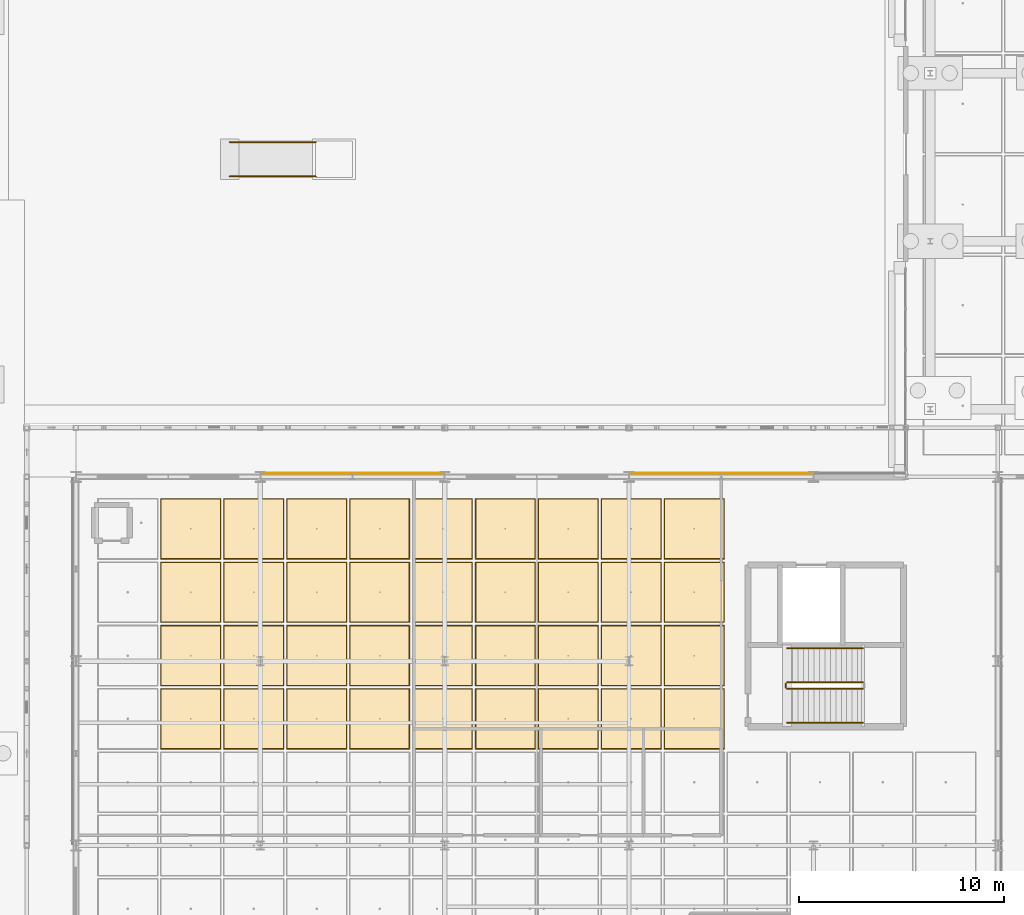
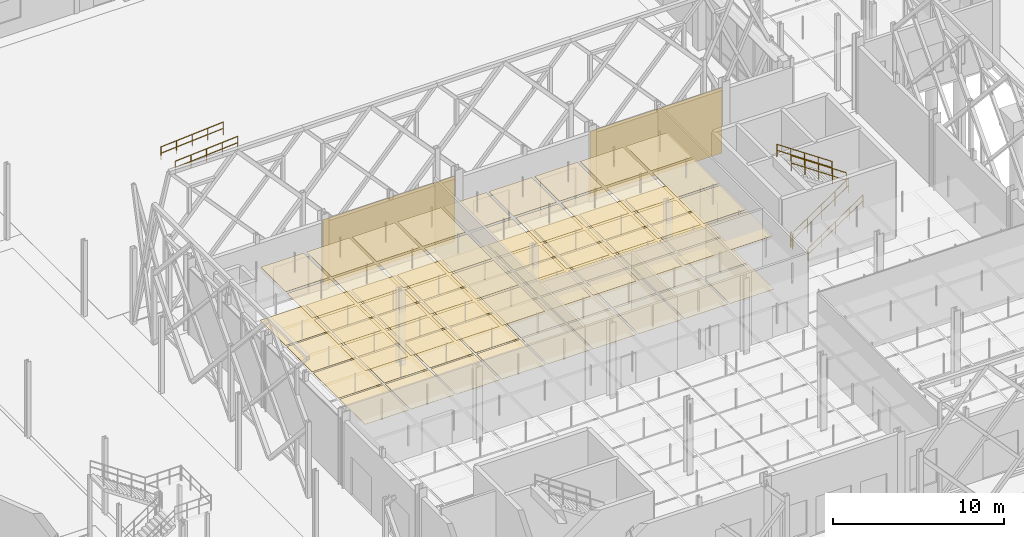
# One storey, part 166 of 180: 74 coverings, 7 railings.
"""IFC4 building model written with IfcOpenShell, lengths in metres."""

import ifcopenshell
import ifcopenshell.guid

model = None  # the IFC model being written
_history = None  # IfcOwnerHistory: only IFC2X3 demands one
_inside = {}  # id of a spatial element -> (the spatial element, [elements in it])
_under = {}  # id of a project, library or spatial element -> (it, [spatial elements below it])
_declared = {}  # id of a project -> (the project, [libraries it declares])
_typed = {}  # id of a type object -> (the type object, [elements of that type])
_made_of = {}  # id of a material, layer set ... -> (it, [elements and type objects made of it])


def new_model(schema):
    """Start an empty IFC model of exactly this schema.

    Asked for "IFC4X3", IfcOpenShell would pick the latest addendum, in which some entities
    have other attributes; the version numbers below select the first issue.
    IFC2X3 requires an IfcOwnerHistory on every rooted entity: one is made here for all.
    """
    global model, _history
    if schema == "IFC4X3":
        model = ifcopenshell.file(schema_version=(4, 3, 0, 0))
    else:
        model = ifcopenshell.file(schema=schema)
    _inside.clear()
    _under.clear()
    _declared.clear()
    _typed.clear()
    _made_of.clear()
    _history = None
    if model.schema == "IFC2X3":
        org = make("IfcOrganization", Name="unknown")
        user = make(
            "IfcPersonAndOrganization",
            ThePerson=make("IfcPerson", FamilyName="unknown"),
            TheOrganization=org,
        )
        app = make(
            "IfcApplication",
            ApplicationDeveloper=org,
            Version="unknown",
            ApplicationFullName="unknown",
            ApplicationIdentifier="unknown",
        )
        _history = make(
            "IfcOwnerHistory",
            OwningUser=user,
            OwningApplication=app,
            ChangeAction="ADDED",
            CreationDate=0,
        )
    return model


def make(cls, **values):
    """One entity of the class cls with the attributes given. An attribute that is None is left unset."""
    return model.create_entity(
        cls, **{name: value for name, value in values.items() if value is not None}
    )


def rooted(cls, **values):
    """An entity with a GlobalId (a new one), such as an element, a storey or a relation."""
    return make(cls, GlobalId=ifcopenshell.guid.new(), OwnerHistory=_history, **values)


def si_unit(unit_type, name, prefix=None):
    """IfcSIUnit, for example si_unit("LENGTHUNIT", "METRE", prefix="MILLI")."""
    return make("IfcSIUnit", UnitType=unit_type, Prefix=prefix, Name=name)


def assignment(units):
    """IfcUnitAssignment: the units of a project."""
    return None if units is None else make("IfcUnitAssignment", Units=units)


def point(xyz):
    """IfcCartesianPoint."""
    return None if xyz is None else make("IfcCartesianPoint", Coordinates=xyz)


def direction(xyz):
    """IfcDirection."""
    return None if xyz is None else make("IfcDirection", DirectionRatios=xyz)


def frame(location, z_axis=None, x_axis=None):
    """IfcAxis2Placement3D, a coordinate frame: its origin and axes. An axis left out is left unset."""
    return make(
        "IfcAxis2Placement3D",
        Location=point(location),
        Axis=direction(z_axis),
        RefDirection=direction(x_axis),
    )


def frame_2d(location, x_axis=None):
    """IfcAxis2Placement2D, a coordinate frame in the plane: its origin and x axis."""
    return make(
        "IfcAxis2Placement2D", Location=point(location), RefDirection=direction(x_axis)
    )


def origin():
    """The frame at (0, 0, 0) with its axes left unset."""
    return frame((0.0, 0.0, 0.0))


def origin_2d():
    """The frame at (0, 0) in the plane with its x axis left unset."""
    return frame_2d((0.0, 0.0))


def place(relative_to, where):
    """IfcLocalPlacement: puts the frame where relative to a parent placement (None: the world)."""
    return make(
        "IfcLocalPlacement", PlacementRelTo=relative_to, RelativePlacement=where
    )


def context(
    kind, dimensions, precision=None, world=None, true_north=None, identifier=None
):
    """IfcGeometricRepresentationContext, for example the 3D "Model" context."""
    return make(
        "IfcGeometricRepresentationContext",
        ContextIdentifier=identifier,
        ContextType=kind,
        CoordinateSpaceDimension=dimensions,
        Precision=precision,
        WorldCoordinateSystem=world,
        TrueNorth=true_north,
    )


def subcontext(parent, identifier, kind, view, scale=None):
    """IfcGeometricRepresentationSubContext, for example "Body" below "Model"."""
    return make(
        "IfcGeometricRepresentationSubContext",
        ContextIdentifier=identifier,
        ContextType=kind,
        ParentContext=parent,
        TargetScale=scale,
        TargetView=view,
    )


def project(units=None, contexts=None):
    """IfcProject with its units and contexts."""
    return rooted(
        "IfcProject",
        Name="project",
        RepresentationContexts=contexts,
        UnitsInContext=assignment(units),
    )


def spatial(cls, under=None, at=None, **own):
    """A site, building, storey or space (cls), placed at a placement, below another one or the project."""
    s = rooted(cls, ObjectPlacement=at, **own)
    if under is not None:
        _under.setdefault(under.id(), (under, []))[1].append(s)
    return s


def profile(cls, at=None, kind="AREA", **sizes):
    """A parametric profile (cls). Its sizes go by their IFC names, for example OverallWidth=200.0."""
    return make(cls, ProfileType=kind, Position=at, **sizes)


def rectangle(**sizes):
    """IfcRectangleProfileDef."""
    return profile("IfcRectangleProfileDef", **sizes)


def circle(**sizes):
    """IfcCircleProfileDef."""
    return profile("IfcCircleProfileDef", **sizes)


def extrude(swept, where, along, depth):
    """IfcExtrudedAreaSolid: the profile swept, set in the frame where, extruded along a direction by depth."""
    return make(
        "IfcExtrudedAreaSolid",
        SweptArea=swept,
        Position=where,
        ExtrudedDirection=direction(along),
        Depth=depth,
    )


def shape(context_of_items, identifier, shape_type, items):
    """IfcShapeRepresentation: the items that make up one representation, for example the "Body"."""
    return make(
        "IfcShapeRepresentation",
        ContextOfItems=context_of_items,
        RepresentationIdentifier=identifier,
        RepresentationType=shape_type,
        Items=items,
    )


def material(Name=None, Category=None):
    """IfcMaterial."""
    return make("IfcMaterial", Name=Name, Category=Category)


def layer(
    of_material, thickness, ventilated=None, Name=None, Category=None, Priority=None
):
    """IfcMaterialLayer: one layer of a wall or slab, of a material (None: an air gap)."""
    return make(
        "IfcMaterialLayer",
        Material=of_material,
        LayerThickness=thickness,
        IsVentilated=ventilated,
        Name=Name,
        Category=Category,
        Priority=Priority,
    )


def layer_set(layers, Name=None):
    """IfcMaterialLayerSet."""
    return make("IfcMaterialLayerSet", MaterialLayers=layers, LayerSetName=Name)


def made_of(thing, what):
    """Note that an element or type object is made of a material, layer set ...; save() writes the relation."""
    if what is not None:
        _made_of.setdefault(what.id(), (what, []))[1].append(thing)
    return thing


def type_object(cls, material=None, **own):
    """A type object (cls), such as IfcWallType, which elements share."""
    return made_of(rooted(cls, **own), material)


def element(
    cls,
    number,
    at=None,
    inside=None,
    cuts=None,
    type_object=None,
    material=None,
    context=None,
    identifier="Body",
    shape_type=None,
    held_by="IfcProductDefinitionShape",
    body=None,
    shapes=None,
    **own,
):
    """One element of the class cls, such as IfcWall. Its Tag is "e" and its number.

    at: its placement. inside: the storey or other place that contains it. cuts: it is an
    opening in that element (IfcRelVoidsElement). A single representation is given by context,
    identifier, shape_type and body (its items); several are given by shapes. held_by: the class
    of the entity that holds the representations. save() writes the other relations.
    """
    e = rooted(cls, Tag="e%d" % number, ObjectPlacement=at, **own)
    if body is not None:
        shapes = [shape(context, identifier, shape_type, body)]
    if shapes is not None:
        e.Representation = make(held_by, Representations=shapes)
    if inside is not None:
        _inside.setdefault(inside.id(), (inside, []))[1].append(e)
    if cuts is not None:
        rooted(
            "IfcRelVoidsElement", RelatingBuildingElement=cuts, RelatedOpeningElement=e
        )
    if type_object is not None:
        _typed.setdefault(type_object.id(), (type_object, []))[1].append(e)
    return made_of(e, material)


def aggregate(whole, parts):
    """IfcRelAggregates: a whole, such as a stair, and the parts it consists of."""
    return rooted("IfcRelAggregates", RelatingObject=whole, RelatedObjects=parts)


def save(model, path):
    """Write the relations noted so far, then the file.

    IfcRelAggregates (storeys below a building ...), IfcRelContainedInSpatialStructure (elements
    in a storey), IfcRelDefinesByType, IfcRelAssociatesMaterial and IfcRelDeclares: one each for
    every whole, place, type object, material and project.
    """
    for whole, parts in _under.values():
        aggregate(whole, parts)
    for where, things in _inside.values():
        rooted(
            "IfcRelContainedInSpatialStructure",
            RelatedElements=things,
            RelatingStructure=where,
        )
    for kind, things in _typed.values():
        rooted("IfcRelDefinesByType", RelatedObjects=things, RelatingType=kind)
    for what, things in _made_of.values():
        rooted("IfcRelAssociatesMaterial", RelatedObjects=things, RelatingMaterial=what)
    for by, libraries in _declared.values():
        rooted("IfcRelDeclares", RelatingContext=by, RelatedDefinitions=libraries)
    model.write(path)


model = new_model("IFC4")

# Units and contexts
model_context = context("Model", 3, precision=1e-05, world=origin(), true_north=direction((0.0, 1.0)))
body_context = subcontext(model_context, "Body", "Model", "MODEL_VIEW")
ifc_project = project(units=[si_unit("LENGTHUNIT", "METRE"), si_unit("AREAUNIT", "SQUARE_METRE"), si_unit("VOLUMEUNIT", "CUBIC_METRE"), si_unit("PLANEANGLEUNIT", "RADIAN"), si_unit("MASSUNIT", "GRAM", prefix="KILO"), si_unit("THERMODYNAMICTEMPERATUREUNIT", "KELVIN"), si_unit("POWERUNIT", "WATT")], contexts=[model_context])

# Site, building, storey
site_placement = place(None, origin())
site = spatial("IfcSite", under=ifc_project, at=site_placement, CompositionType="ELEMENT")
building_placement = place(site_placement, origin())
building = spatial("IfcBuilding", under=site, at=building_placement, Name="Tallowbark Science Centre", CompositionType="ELEMENT")
storey_placement = place(building_placement, origin())
storey = spatial("IfcBuildingStorey", under=building, at=storey_placement, Name="L00", CompositionType="ELEMENT", Elevation=0.0)

# Coverings
ifc_material_1 = material(Name="Perforated Spotted Gum Acoustic Baffle Ceiling", Category="wood")
ifc_layer_1 = layer(ifc_material_1, 0.02490234375)
ifc_layer_set_1 = layer_set([ifc_layer_1], Name="Perforated Spotted Gum Acoustic Baffle Ceiling")
covering_type_1 = type_object("IfcCoveringType", Name="CLG-TIM-25", PredefinedType="CEILING", material=ifc_layer_set_1)
for number, where, z_axis, x_axis, name in (
    (1, (64.107177734375, 28.681884765625, 3.78759765625), (0.0, 0.0, 1.0), (1.0, 0.0, 0.0), "Suspended Ceiling L00-87"),
    (2, (64.107177734375, 31.772705078125, 3.78759765625), (0.0, 0.0, 1.0), (1.0, 0.0, 0.0), "Suspended Ceiling L00-88"),
    (3, (64.107177734375, 34.863525390625, 3.78759765625), (0.0, 0.0, 1.0), (1.0, 0.0, 0.0), "Suspended Ceiling L00-89"),
    (4, (64.107177734375, 37.95458984375, 3.78759765625), (0.0, 0.0, 1.0), (1.0, 0.0, 0.0), "Suspended Ceiling L00-90"),
    (5, (67.1787109375, 28.681884765625, 3.78759765625), (0.0, 0.0, 1.0), (1.0, 0.0, 0.0), "Suspended Ceiling L00-95"),
    (6, (67.1787109375, 31.772705078125, 3.78759765625), (0.0, 0.0, 1.0), (1.0, 0.0, 0.0), "Suspended Ceiling L00-96"),
    (7, (67.1787109375, 34.863525390625, 3.78759765625), (0.0, 0.0, 1.0), (1.0, 0.0, 0.0), "Suspended Ceiling L00-97"),
    (8, (67.1787109375, 37.95458984375, 3.78759765625), (0.0, 0.0, 1.0), (1.0, 0.0, 0.0), "Suspended Ceiling L00-98"),
    (9, (70.25, 28.681884765625, 3.78759765625), (0.0, 0.0, 1.0), (1.0, 0.0, 0.0), "Suspended Ceiling L00-103"),
    (10, (70.25, 31.772705078125, 3.78759765625), (0.0, 0.0, 1.0), (1.0, 0.0, 0.0), "Suspended Ceiling L00-104"),
    (11, (70.25, 34.863525390625, 3.78759765625), (0.0, 0.0, 1.0), (1.0, 0.0, 0.0), "Suspended Ceiling L00-105"),
    (12, (70.25, 37.95458984375, 3.78759765625), (0.0, 0.0, 1.0), (1.0, 0.0, 0.0), "Suspended Ceiling L00-106"),
    (13, (73.3212890625, 28.681884765625, 3.78759765625), (0.0, 0.0, 1.0), (1.0, 0.0, 0.0), "Suspended Ceiling L00-114"),
    (14, (73.3212890625, 31.772705078125, 3.78759765625), (0.0, 0.0, 1.0), (1.0, 0.0, 0.0), "Suspended Ceiling L00-115"),
    (15, (73.3212890625, 34.863525390625, 3.78759765625), (0.0, 0.0, 1.0), (1.0, 0.0, 0.0), "Suspended Ceiling L00-116"),
    (16, (73.3212890625, 37.95458984375, 3.78759765625), (0.0, 0.0, 1.0), (1.0, 0.0, 0.0), "Suspended Ceiling L00-117"),
    (17, (76.392822265625, 28.681884765625, 3.78759765625), (0.0, 0.0, 1.0), (1.0, 0.0, 0.0), "Suspended Ceiling L00-125"),
    (18, (76.392822265625, 31.772705078125, 3.78759765625), (0.0, 0.0, 1.0), (1.0, 0.0, 0.0), "Suspended Ceiling L00-126"),
    (19, (76.392822265625, 34.863525390625, 3.78759765625), (0.0, 0.0, 1.0), (1.0, 0.0, 0.0), "Suspended Ceiling L00-127"),
    (20, (76.392822265625, 37.95458984375, 3.78759765625), (0.0, 0.0, 1.0), (1.0, 0.0, 0.0), "Suspended Ceiling L00-128"),
    (21, (79.46435546875, 28.681884765625, 3.78759765625), (0.0, 0.0, 1.0), (1.0, 0.0, 0.0), "Suspended Ceiling L00-136"),
    (22, (79.46435546875, 31.772705078125, 3.78759765625), (0.0, 0.0, 1.0), (1.0, 0.0, 0.0), "Suspended Ceiling L00-137"),
    (23, (79.46435546875, 34.863525390625, 3.78759765625), (0.0, 0.0, 1.0), (1.0, 0.0, 0.0), "Suspended Ceiling L00-138"),
    (24, (79.46435546875, 37.95458984375, 3.78759765625), (0.0, 0.0, 1.0), (1.0, 0.0, 0.0), "Suspended Ceiling L00-139"),
    (25, (82.53564453125, 28.681884765625, 3.78759765625), (0.0, 0.0, 1.0), (1.0, 0.0, 0.0), "Suspended Ceiling L00-147"),
    (26, (82.53564453125, 31.772705078125, 3.78759765625), (0.0, 0.0, 1.0), (1.0, 0.0, 0.0), "Suspended Ceiling L00-148"),
    (27, (82.53564453125, 34.863525390625, 3.78759765625), (0.0, 0.0, 1.0), (1.0, 0.0, 0.0), "Suspended Ceiling L00-149"),
    (28, (82.53564453125, 37.95458984375, 3.78759765625), (0.0, 0.0, 1.0), (1.0, 0.0, 0.0), "Suspended Ceiling L00-150"),
    (29, (85.607177734375, 28.681884765625, 3.78759765625), (0.0, 0.0, 1.0), (1.0, 0.0, 0.0), "Suspended Ceiling L00-158"),
    (30, (85.607177734375, 31.772705078125, 3.78759765625), (0.0, 0.0, 1.0), (1.0, 0.0, 0.0), "Suspended Ceiling L00-159"),
    (31, (85.607177734375, 34.863525390625, 3.78759765625), (0.0, 0.0, 1.0), (1.0, 0.0, 0.0), "Suspended Ceiling L00-160"),
    (32, (85.607177734375, 37.95458984375, 3.78759765625), (0.0, 0.0, 1.0), (1.0, 0.0, 0.0), "Suspended Ceiling L00-161"),
    (33, (88.6787109375, 28.681884765625, 3.78759765625), (0.0, 0.0, 1.0), (1.0, 0.0, 0.0), "Suspended Ceiling L00-169"),
    (34, (88.6787109375, 31.772705078125, 3.78759765625), (0.0, 0.0, 1.0), (1.0, 0.0, 0.0), "Suspended Ceiling L00-170"),
    (35, (88.6787109375, 34.863525390625, 3.78759765625), (0.0, 0.0, 1.0), (1.0, 0.0, 0.0), "Suspended Ceiling L00-171"),
    (36, (88.6787109375, 37.95458984375, 3.78759765625), (0.0, 0.0, 1.0), (1.0, 0.0, 0.0), "Suspended Ceiling L00-172"),
):
    element("IfcCovering", number, at=place(storey_placement, frame(where, z_axis=z_axis, x_axis=x_axis)), inside=storey, type_object=covering_type_1, Name=name, PredefinedType="CEILING", context=body_context, shape_type="SweptSolid", body=[
        extrude(rectangle(XDim=2.891357421875, YDim=2.910888671875, at=origin_2d()), origin(), (0.0, 0.0, 1.0), 0.02490234375),
    ])
ifc_material_2 = material(Name="Spotted Gum Hardwood Architectural Rainscreen", Category="wood")
ifc_layer_2 = layer(ifc_material_2, 0.0419921875)
ifc_layer_set_2 = layer_set([ifc_layer_2], Name="Spotted Gum Hardwood Architectural Rainscreen")
covering_type_2 = type_object("IfcCoveringType", Name="COV-TIM-CLAD", PredefinedType="CLADDING", material=ifc_layer_set_2)
for number, where, z_axis, x_axis, name in (
    (37, (72.0, 40.66845703125, 0.0498046875), (0.0, 0.0, 1.0), (-1.0, 0.0, 0.0), "Architectural Rainscreen CUB-N-L00-1"),
    (38, (90.0, 40.66845703125, 0.0498046875), (0.0, 0.0, 1.0), (-1.0, 0.0, 0.0), "Architectural Rainscreen CUB-N-L00-3"),
):
    element("IfcCovering", number, at=place(storey_placement, frame(where, z_axis=z_axis, x_axis=x_axis)), inside=storey, type_object=covering_type_2, Name=name, PredefinedType="CLADDING", context=body_context, shape_type="SweptSolid", body=[
        extrude(rectangle(XDim=8.8798828125, YDim=0.0419921875, at=origin_2d()), origin(), (0.0, 0.0, 1.0), 4.646240234375),
    ])
ifc_material_3 = material(Name="Polished Recycled-Glass Terrazzo Foyer Flooring", Category="glass")
ifc_layer_3 = layer(ifc_material_3, 0.02001953125)
ifc_layer_set_3 = layer_set([ifc_layer_3], Name="Polished Recycled-Glass Terrazzo Foyer Flooring")
covering_type_3 = type_object("IfcCoveringType", Name="FLR-TER-20", PredefinedType="FLOORING", material=ifc_layer_set_3)
for number, where, z_axis, x_axis, name in (
    (39, (64.107177734375, 28.681884765625, 0.0), (0.0, 0.0, 1.0), (1.0, 0.0, 0.0), "Floor Finish L00-87"),
    (40, (64.107177734375, 31.772705078125, 0.0), (0.0, 0.0, 1.0), (1.0, 0.0, 0.0), "Floor Finish L00-88"),
    (41, (64.107177734375, 34.863525390625, 0.0), (0.0, 0.0, 1.0), (1.0, 0.0, 0.0), "Floor Finish L00-89"),
    (42, (64.107177734375, 37.95458984375, 0.0), (0.0, 0.0, 1.0), (1.0, 0.0, 0.0), "Floor Finish L00-90"),
    (43, (67.1787109375, 28.681884765625, 0.0), (0.0, 0.0, 1.0), (1.0, 0.0, 0.0), "Floor Finish L00-95"),
    (44, (67.1787109375, 31.772705078125, 0.0), (0.0, 0.0, 1.0), (1.0, 0.0, 0.0), "Floor Finish L00-96"),
    (45, (67.1787109375, 34.863525390625, 0.0), (0.0, 0.0, 1.0), (1.0, 0.0, 0.0), "Floor Finish L00-97"),
    (46, (67.1787109375, 37.95458984375, 0.0), (0.0, 0.0, 1.0), (1.0, 0.0, 0.0), "Floor Finish L00-98"),
    (47, (70.25, 28.681884765625, 0.0), (0.0, 0.0, 1.0), (1.0, 0.0, 0.0), "Floor Finish L00-103"),
    (48, (70.25, 31.772705078125, 0.0), (0.0, 0.0, 1.0), (1.0, 0.0, 0.0), "Floor Finish L00-104"),
    (49, (70.25, 34.863525390625, 0.0), (0.0, 0.0, 1.0), (1.0, 0.0, 0.0), "Floor Finish L00-105"),
    (50, (70.25, 37.95458984375, 0.0), (0.0, 0.0, 1.0), (1.0, 0.0, 0.0), "Floor Finish L00-106"),
    (51, (73.3212890625, 28.681884765625, 0.0), (0.0, 0.0, 1.0), (1.0, 0.0, 0.0), "Floor Finish L00-114"),
    (52, (73.3212890625, 31.772705078125, 0.0), (0.0, 0.0, 1.0), (1.0, 0.0, 0.0), "Floor Finish L00-115"),
    (53, (73.3212890625, 34.863525390625, 0.0), (0.0, 0.0, 1.0), (1.0, 0.0, 0.0), "Floor Finish L00-116"),
    (54, (73.3212890625, 37.95458984375, 0.0), (0.0, 0.0, 1.0), (1.0, 0.0, 0.0), "Floor Finish L00-117"),
    (55, (76.392822265625, 28.681884765625, 0.0), (0.0, 0.0, 1.0), (1.0, 0.0, 0.0), "Floor Finish L00-125"),
    (56, (76.392822265625, 31.772705078125, 0.0), (0.0, 0.0, 1.0), (1.0, 0.0, 0.0), "Floor Finish L00-126"),
    (57, (76.392822265625, 34.863525390625, 0.0), (0.0, 0.0, 1.0), (1.0, 0.0, 0.0), "Floor Finish L00-127"),
    (58, (76.392822265625, 37.95458984375, 0.0), (0.0, 0.0, 1.0), (1.0, 0.0, 0.0), "Floor Finish L00-128"),
    (59, (79.46435546875, 28.681884765625, 0.0), (0.0, 0.0, 1.0), (1.0, 0.0, 0.0), "Floor Finish L00-136"),
    (60, (79.46435546875, 31.772705078125, 0.0), (0.0, 0.0, 1.0), (1.0, 0.0, 0.0), "Floor Finish L00-137"),
    (61, (79.46435546875, 34.863525390625, 0.0), (0.0, 0.0, 1.0), (1.0, 0.0, 0.0), "Floor Finish L00-138"),
    (62, (79.46435546875, 37.95458984375, 0.0), (0.0, 0.0, 1.0), (1.0, 0.0, 0.0), "Floor Finish L00-139"),
    (63, (82.53564453125, 28.681884765625, 0.0), (0.0, 0.0, 1.0), (1.0, 0.0, 0.0), "Floor Finish L00-147"),
    (64, (82.53564453125, 31.772705078125, 0.0), (0.0, 0.0, 1.0), (1.0, 0.0, 0.0), "Floor Finish L00-148"),
    (65, (82.53564453125, 34.863525390625, 0.0), (0.0, 0.0, 1.0), (1.0, 0.0, 0.0), "Floor Finish L00-149"),
    (66, (82.53564453125, 37.95458984375, 0.0), (0.0, 0.0, 1.0), (1.0, 0.0, 0.0), "Floor Finish L00-150"),
    (67, (85.607177734375, 28.681884765625, 0.0), (0.0, 0.0, 1.0), (1.0, 0.0, 0.0), "Floor Finish L00-158"),
    (68, (85.607177734375, 31.772705078125, 0.0), (0.0, 0.0, 1.0), (1.0, 0.0, 0.0), "Floor Finish L00-159"),
    (69, (85.607177734375, 34.863525390625, 0.0), (0.0, 0.0, 1.0), (1.0, 0.0, 0.0), "Floor Finish L00-160"),
    (70, (85.607177734375, 37.95458984375, 0.0), (0.0, 0.0, 1.0), (1.0, 0.0, 0.0), "Floor Finish L00-161"),
    (71, (88.6787109375, 28.681884765625, 0.0), (0.0, 0.0, 1.0), (1.0, 0.0, 0.0), "Floor Finish L00-169"),
    (72, (88.6787109375, 31.772705078125, 0.0), (0.0, 0.0, 1.0), (1.0, 0.0, 0.0), "Floor Finish L00-170"),
    (73, (88.6787109375, 34.863525390625, 0.0), (0.0, 0.0, 1.0), (1.0, 0.0, 0.0), "Floor Finish L00-171"),
    (74, (88.6787109375, 37.95458984375, 0.0), (0.0, 0.0, 1.0), (1.0, 0.0, 0.0), "Floor Finish L00-172"),
):
    element("IfcCovering", number, at=place(storey_placement, frame(where, z_axis=z_axis, x_axis=x_axis)), inside=storey, type_object=covering_type_3, Name=name, PredefinedType="FLOORING", context=body_context, shape_type="SweptSolid", body=[
        extrude(rectangle(XDim=2.951416015625, YDim=2.970947265625, at=origin_2d()), origin(), (0.0, 0.0, 1.0), 0.02001953125),
    ])

# Railings
ifc_material_4 = material(Name="Galvanised Painted Steel and Laminated Glass Balustrade", Category="steel")
ifc_layer_4 = layer(ifc_material_4, 0.070068359375)
ifc_layer_set_4 = layer_set([ifc_layer_4], Name="Galvanised Painted Steel and Laminated Glass Balustrade")
railing_type_1 = type_object("IfcRailingType", Name="RLG-BAL-1150", PredefinedType="BALUSTRADE", material=ifc_layer_set_4)
railing_1_placement = place(storey_placement, frame((93.2099609375, 30.159912109375, 0.179931640625)))
element("IfcRailing", 75, at=railing_1_placement, inside=storey, type_object=railing_type_1, Name="L00 ST-03 stair guard 1", PredefinedType="BALUSTRADE", context=body_context, shape_type="SweptSolid", body=[
    extrude(circle(Radius=0.02392578125, at=origin_2d()), frame((0.0, 0.0, 1.076171875), z_axis=(0.827211917306, 0.0, 0.561890063861), x_axis=(0.0, 1.0, 0.0)), (0.0, 0.0, 1.0), 4.48486328125),
    extrude(circle(Radius=0.02392578125, at=origin_2d()), frame((0.0, 0.0, 0.550048828125), z_axis=(0.827211917306, 0.0, 0.561890063861), x_axis=(0.0, 1.0, 0.0)), (0.0, 0.0, 1.0), 4.48486328125),
    extrude(circle(Radius=0.02099609375, at=origin_2d()), origin(), (0.0, 0.0, 1.0), 1.052001953125),
    extrude(circle(Radius=0.02099609375, at=origin_2d()), frame((0.927490234375, 0.0, 0.6298828125)), (0.0, 0.0, 1.0), 1.052001953125),
    extrude(circle(Radius=0.02099609375, at=origin_2d()), frame((1.85498046875, 0.0, 1.260009765625)), (0.0, 0.0, 1.0), 1.052001953125),
    extrude(circle(Radius=0.02099609375, at=origin_2d()), frame((2.782470703125, 0.0, 1.89013671875)), (0.0, 0.0, 1.0), 1.052001953125),
    extrude(circle(Radius=0.02099609375, at=origin_2d()), frame((3.7099609375, 0.0, 2.52001953125)), (0.0, 0.0, 1.0), 1.052001953125),
])
railing_2_placement = place(storey_placement, frame((96.919921875, 30.4599609375, 2.8798828125)))
element("IfcRailing", 76, at=railing_2_placement, inside=storey, type_object=railing_type_1, Name="L00 ST-03 stair guard 3", PredefinedType="BALUSTRADE", context=body_context, shape_type="SweptSolid", body=[
    extrude(circle(Radius=0.02392578125, at=origin_2d()), frame((0.0, 0.0, 1.076171875), z_axis=(-0.827211917306, 0.0, 0.561890063861), x_axis=(0.0, -1.0, 0.0)), (0.0, 0.0, 1.0), 4.48486328125),
    extrude(circle(Radius=0.02392578125, at=origin_2d()), frame((0.0, 0.0, 0.550048828125), z_axis=(-0.827211917306, 0.0, 0.561890063861), x_axis=(0.0, -1.0, 0.0)), (0.0, 0.0, 1.0), 4.48486328125),
    extrude(circle(Radius=0.02099609375, at=origin_2d()), origin(), (0.0, 0.0, 1.0), 1.052001953125),
    extrude(circle(Radius=0.02099609375, at=origin_2d()), frame((-0.927490234375, 0.0, 0.6298828125)), (0.0, 0.0, 1.0), 1.052001953125),
    extrude(circle(Radius=0.02099609375, at=origin_2d()), frame((-1.85498046875, 0.0, 1.260009765625)), (0.0, 0.0, 1.0), 1.052001953125),
    extrude(circle(Radius=0.02099609375, at=origin_2d()), frame((-2.782470703125, 0.0, 1.89013671875)), (0.0, 0.0, 1.0), 1.052001953125),
    extrude(circle(Radius=0.02099609375, at=origin_2d()), frame((-3.7099609375, 0.0, 2.52001953125)), (0.0, 0.0, 1.0), 1.052001953125),
])
railing_3_placement = place(storey_placement, frame((93.159912109375, 30.2099609375, 0.0)))
element("IfcRailing", 77, at=railing_3_placement, inside=storey, type_object=railing_type_1, Name="L00 ST-03 stair guard 4", PredefinedType="BALUSTRADE", context=body_context, shape_type="SweptSolid", body=[
    extrude(circle(Radius=0.02392578125, at=origin_2d()), frame((0.0, 0.0, 1.076171875), z_axis=(0.0, 1.0, 0.0), x_axis=(-1.0, 0.0, 0.0)), (0.0, 0.0, 1.0), 0.199951171875),
    extrude(circle(Radius=0.02392578125, at=origin_2d()), frame((0.0, 0.0, 0.550048828125), z_axis=(0.0, 1.0, 0.0), x_axis=(-1.0, 0.0, 0.0)), (0.0, 0.0, 1.0), 0.199951171875),
    extrude(circle(Radius=0.02099609375, at=origin_2d()), origin(), (0.0, 0.0, 1.0), 1.052001953125),
    extrude(circle(Radius=0.02099609375, at=origin_2d()), frame((0.0, 0.199951171875, 0.0)), (0.0, 0.0, 1.0), 1.052001953125),
])
ifc_material_5 = material(Name="Brushed Grade 316 Stainless Steel Handrail", Category="steel")
ifc_layer_5 = layer(ifc_material_5, 0.050048828125)
ifc_layer_set_5 = layer_set([ifc_layer_5], Name="Brushed Grade 316 Stainless Steel Handrail")
railing_type_2 = type_object("IfcRailingType", Name="RLG-HDR-950", PredefinedType="HANDRAIL", material=ifc_layer_set_5)
for number, where, name in (
    (78, (66.0, 56.840087890625, -0.300048828125), "Ramp Handrail RMP-05 L"),
    (79, (66.0, 55.159912109375, -0.300048828125), "Ramp Handrail RMP-05 R"),
):
    element("IfcRailing", number, at=place(storey_placement, frame(where)), inside=storey, type_object=railing_type_2, Name=name, PredefinedType="HANDRAIL", context=body_context, shape_type="SweptSolid", body=[
        extrude(circle(Radius=0.02392578125, at=origin_2d()), frame((0.0, 0.0, 0.92578125), z_axis=(0.997457816785, 0.0, 0.071259411546), x_axis=(0.0, 1.0, 0.0)), (0.0, 0.0, 1.0), 4.210693359375),
        extrude(circle(Radius=0.02392578125, at=origin_2d()), frame((0.0, 0.0, 0.47509765625), z_axis=(0.997457816785, 0.0, 0.071259411546), x_axis=(0.0, 1.0, 0.0)), (0.0, 0.0, 1.0), 4.210693359375),
        extrude(circle(Radius=0.02099609375, at=origin_2d()), origin(), (0.0, 0.0, 1.0), 0.90185546875),
        extrude(circle(Radius=0.02099609375, at=origin_2d()), frame((1.050048828125, 0.0, 0.074951171875)), (0.0, 0.0, 1.0), 0.90185546875),
        extrude(circle(Radius=0.02099609375, at=origin_2d()), frame((2.10009765625, 0.0, 0.14990234375)), (0.0, 0.0, 1.0), 0.90185546875),
        extrude(circle(Radius=0.02099609375, at=origin_2d()), frame((3.14990234375, 0.0, 0.22509765625)), (0.0, 0.0, 1.0), 0.90185546875),
        extrude(circle(Radius=0.02099609375, at=origin_2d()), frame((4.199951171875, 0.0, 0.300048828125)), (0.0, 0.0, 1.0), 0.90185546875),
    ])
railing_4_placement = place(storey_placement, frame((93.2099609375, 28.5, 0.179931640625)))
element("IfcRailing", 80, at=railing_4_placement, inside=storey, type_object=railing_type_2, Name="L00 ST-03 stair handrail 1", PredefinedType="HANDRAIL", context=body_context, shape_type="SweptSolid", body=[
    extrude(circle(Radius=0.02392578125, at=origin_2d()), frame((0.0, 0.0, 0.8759765625), z_axis=(0.827211917306, 0.0, 0.561890063861), x_axis=(0.0, 1.0, 0.0)), (0.0, 0.0, 1.0), 4.48486328125),
    extrude(circle(Radius=0.02392578125, at=origin_2d()), frame((0.0, 0.0, 0.449951171875), z_axis=(0.827211917306, 0.0, 0.561890063861), x_axis=(0.0, 1.0, 0.0)), (0.0, 0.0, 1.0), 4.48486328125),
    extrude(circle(Radius=0.02099609375, at=origin_2d()), origin(), (0.0, 0.0, 1.0), 0.851806640625),
    extrude(circle(Radius=0.02099609375, at=origin_2d()), frame((0.927490234375, 0.0, 0.6298828125)), (0.0, 0.0, 1.0), 0.851806640625),
    extrude(circle(Radius=0.02099609375, at=origin_2d()), frame((1.85498046875, 0.0, 1.260009765625)), (0.0, 0.0, 1.0), 0.851806640625),
    extrude(circle(Radius=0.02099609375, at=origin_2d()), frame((2.782470703125, 0.0, 1.89013671875)), (0.0, 0.0, 1.0), 0.851806640625),
    extrude(circle(Radius=0.02099609375, at=origin_2d()), frame((3.7099609375, 0.0, 2.52001953125)), (0.0, 0.0, 1.0), 0.851806640625),
])
railing_5_placement = place(storey_placement, frame((96.919921875, 32.1201171875, 2.8798828125)))
element("IfcRailing", 81, at=railing_5_placement, inside=storey, type_object=railing_type_2, Name="L00 ST-03 stair handrail 2", PredefinedType="HANDRAIL", context=body_context, shape_type="SweptSolid", body=[
    extrude(circle(Radius=0.02392578125, at=origin_2d()), frame((0.0, 0.0, 0.8759765625), z_axis=(-0.827211917306, 0.0, 0.561890063861), x_axis=(0.0, -1.0, 0.0)), (0.0, 0.0, 1.0), 4.48486328125),
    extrude(circle(Radius=0.02392578125, at=origin_2d()), frame((0.0, 0.0, 0.449951171875), z_axis=(-0.827211917306, 0.0, 0.561890063861), x_axis=(0.0, -1.0, 0.0)), (0.0, 0.0, 1.0), 4.48486328125),
    extrude(circle(Radius=0.02099609375, at=origin_2d()), origin(), (0.0, 0.0, 1.0), 0.851806640625),
    extrude(circle(Radius=0.02099609375, at=origin_2d()), frame((-0.927490234375, 0.0, 0.6298828125)), (0.0, 0.0, 1.0), 0.851806640625),
    extrude(circle(Radius=0.02099609375, at=origin_2d()), frame((-1.85498046875, 0.0, 1.260009765625)), (0.0, 0.0, 1.0), 0.851806640625),
    extrude(circle(Radius=0.02099609375, at=origin_2d()), frame((-2.782470703125, 0.0, 1.89013671875)), (0.0, 0.0, 1.0), 0.851806640625),
    extrude(circle(Radius=0.02099609375, at=origin_2d()), frame((-3.7099609375, 0.0, 2.52001953125)), (0.0, 0.0, 1.0), 0.851806640625),
])

save(model, "model.ifc")
